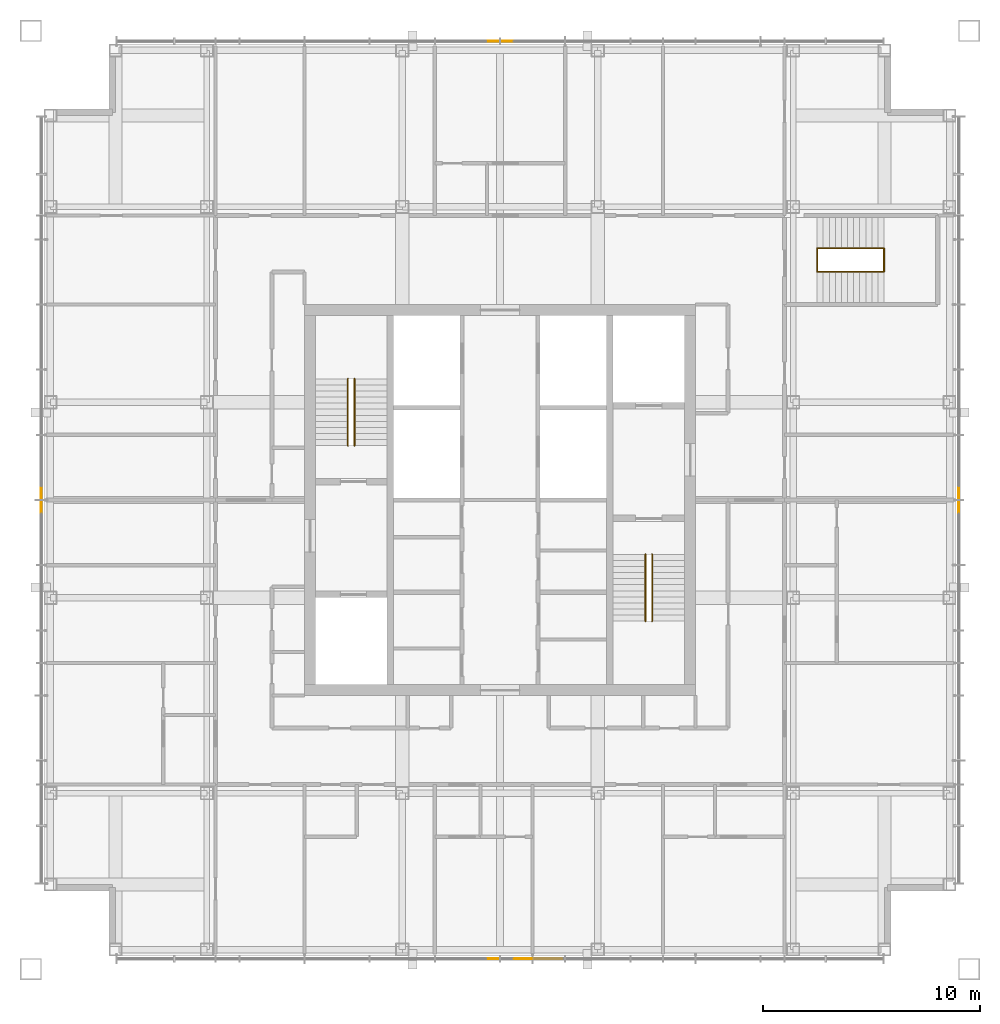
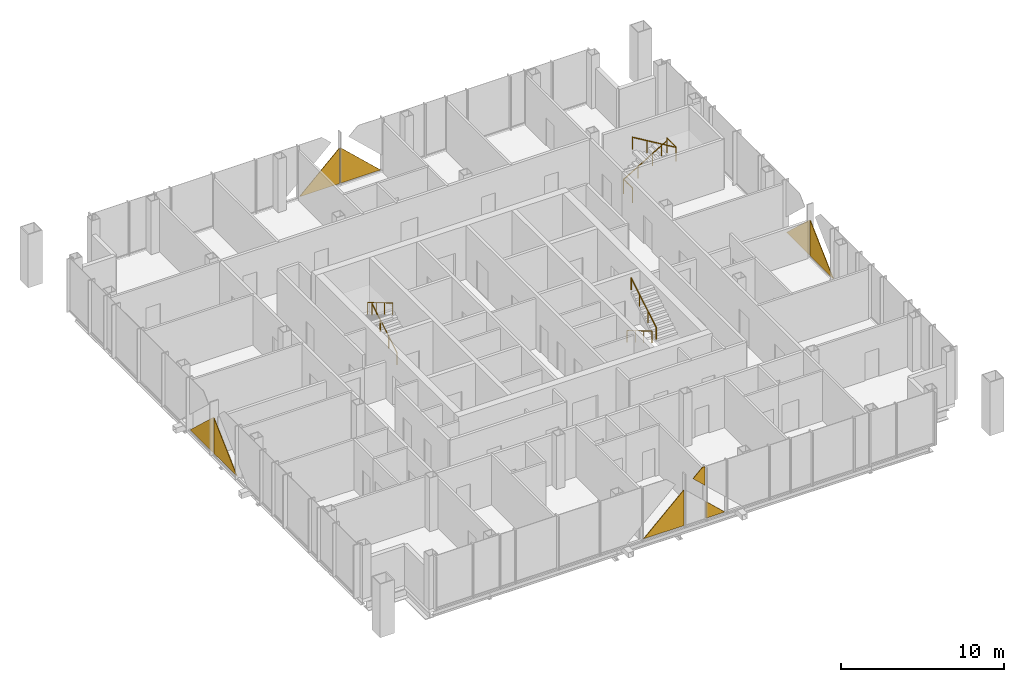
# One storey, part 12 of 12: 9 coverings, 8 railings.
"""IFC4 building model written with IfcOpenShell, lengths in metres."""

import ifcopenshell
import ifcopenshell.guid

model = None  # the IFC model being written
_history = None  # IfcOwnerHistory: only IFC2X3 demands one
_inside = {}  # id of a spatial element -> (the spatial element, [elements in it])
_under = {}  # id of a project, library or spatial element -> (it, [spatial elements below it])
_declared = {}  # id of a project -> (the project, [libraries it declares])
_typed = {}  # id of a type object -> (the type object, [elements of that type])
_made_of = {}  # id of a material, layer set ... -> (it, [elements and type objects made of it])


def new_model(schema):
    """Start an empty IFC model of exactly this schema.

    Asked for "IFC4X3", IfcOpenShell would pick the latest addendum, in which some entities
    have other attributes; the version numbers below select the first issue.
    IFC2X3 requires an IfcOwnerHistory on every rooted entity: one is made here for all.
    """
    global model, _history
    if schema == "IFC4X3":
        model = ifcopenshell.file(schema_version=(4, 3, 0, 0))
    else:
        model = ifcopenshell.file(schema=schema)
    _inside.clear()
    _under.clear()
    _declared.clear()
    _typed.clear()
    _made_of.clear()
    _history = None
    if model.schema == "IFC2X3":
        org = make("IfcOrganization", Name="unknown")
        user = make(
            "IfcPersonAndOrganization",
            ThePerson=make("IfcPerson", FamilyName="unknown"),
            TheOrganization=org,
        )
        app = make(
            "IfcApplication",
            ApplicationDeveloper=org,
            Version="unknown",
            ApplicationFullName="unknown",
            ApplicationIdentifier="unknown",
        )
        _history = make(
            "IfcOwnerHistory",
            OwningUser=user,
            OwningApplication=app,
            ChangeAction="ADDED",
            CreationDate=0,
        )
    return model


def make(cls, **values):
    """One entity of the class cls with the attributes given. An attribute that is None is left unset."""
    return model.create_entity(
        cls, **{name: value for name, value in values.items() if value is not None}
    )


def rooted(cls, **values):
    """An entity with a GlobalId (a new one), such as an element, a storey or a relation."""
    return make(cls, GlobalId=ifcopenshell.guid.new(), OwnerHistory=_history, **values)


def si_unit(unit_type, name, prefix=None):
    """IfcSIUnit, for example si_unit("LENGTHUNIT", "METRE", prefix="MILLI")."""
    return make("IfcSIUnit", UnitType=unit_type, Prefix=prefix, Name=name)


def assignment(units):
    """IfcUnitAssignment: the units of a project."""
    return None if units is None else make("IfcUnitAssignment", Units=units)


def point(xyz):
    """IfcCartesianPoint."""
    return None if xyz is None else make("IfcCartesianPoint", Coordinates=xyz)


def direction(xyz):
    """IfcDirection."""
    return None if xyz is None else make("IfcDirection", DirectionRatios=xyz)


def frame(location, z_axis=None, x_axis=None):
    """IfcAxis2Placement3D, a coordinate frame: its origin and axes. An axis left out is left unset."""
    return make(
        "IfcAxis2Placement3D",
        Location=point(location),
        Axis=direction(z_axis),
        RefDirection=direction(x_axis),
    )


def frame_2d(location, x_axis=None):
    """IfcAxis2Placement2D, a coordinate frame in the plane: its origin and x axis."""
    return make(
        "IfcAxis2Placement2D", Location=point(location), RefDirection=direction(x_axis)
    )


def origin():
    """The frame at (0, 0, 0) with its axes left unset."""
    return frame((0.0, 0.0, 0.0))


def origin_2d():
    """The frame at (0, 0) in the plane with its x axis left unset."""
    return frame_2d((0.0, 0.0))


def place(relative_to, where):
    """IfcLocalPlacement: puts the frame where relative to a parent placement (None: the world)."""
    return make(
        "IfcLocalPlacement", PlacementRelTo=relative_to, RelativePlacement=where
    )


def context(
    kind, dimensions, precision=None, world=None, true_north=None, identifier=None
):
    """IfcGeometricRepresentationContext, for example the 3D "Model" context."""
    return make(
        "IfcGeometricRepresentationContext",
        ContextIdentifier=identifier,
        ContextType=kind,
        CoordinateSpaceDimension=dimensions,
        Precision=precision,
        WorldCoordinateSystem=world,
        TrueNorth=true_north,
    )


def subcontext(parent, identifier, kind, view, scale=None):
    """IfcGeometricRepresentationSubContext, for example "Body" below "Model"."""
    return make(
        "IfcGeometricRepresentationSubContext",
        ContextIdentifier=identifier,
        ContextType=kind,
        ParentContext=parent,
        TargetScale=scale,
        TargetView=view,
    )


def project(units=None, contexts=None):
    """IfcProject with its units and contexts."""
    return rooted(
        "IfcProject",
        Name="project",
        RepresentationContexts=contexts,
        UnitsInContext=assignment(units),
    )


def spatial(cls, under=None, at=None, **own):
    """A site, building, storey or space (cls), placed at a placement, below another one or the project."""
    s = rooted(cls, ObjectPlacement=at, **own)
    if under is not None:
        _under.setdefault(under.id(), (under, []))[1].append(s)
    return s


def polyline(points):
    """IfcPolyline through the points."""
    return make("IfcPolyline", Points=[point(p) for p in points])


def profile(cls, at=None, kind="AREA", **sizes):
    """A parametric profile (cls). Its sizes go by their IFC names, for example OverallWidth=200.0."""
    return make(cls, ProfileType=kind, Position=at, **sizes)


def circle(**sizes):
    """IfcCircleProfileDef."""
    return profile("IfcCircleProfileDef", **sizes)


def outline(outer, holes=None, kind="AREA"):
    """IfcArbitraryClosedProfileDef: a profile drawn as a closed curve; with holes, ...WithVoids."""
    if holes is None:
        return make("IfcArbitraryClosedProfileDef", ProfileType=kind, OuterCurve=outer)
    return make(
        "IfcArbitraryProfileDefWithVoids",
        ProfileType=kind,
        OuterCurve=outer,
        InnerCurves=holes,
    )


def extrude(swept, where, along, depth):
    """IfcExtrudedAreaSolid: the profile swept, set in the frame where, extruded along a direction by depth."""
    return make(
        "IfcExtrudedAreaSolid",
        SweptArea=swept,
        Position=where,
        ExtrudedDirection=direction(along),
        Depth=depth,
    )


def shape(context_of_items, identifier, shape_type, items):
    """IfcShapeRepresentation: the items that make up one representation, for example the "Body"."""
    return make(
        "IfcShapeRepresentation",
        ContextOfItems=context_of_items,
        RepresentationIdentifier=identifier,
        RepresentationType=shape_type,
        Items=items,
    )


def material(Name=None, Category=None):
    """IfcMaterial."""
    return make("IfcMaterial", Name=Name, Category=Category)


def layer(
    of_material, thickness, ventilated=None, Name=None, Category=None, Priority=None
):
    """IfcMaterialLayer: one layer of a wall or slab, of a material (None: an air gap)."""
    return make(
        "IfcMaterialLayer",
        Material=of_material,
        LayerThickness=thickness,
        IsVentilated=ventilated,
        Name=Name,
        Category=Category,
        Priority=Priority,
    )


def layer_set(layers, Name=None):
    """IfcMaterialLayerSet."""
    return make("IfcMaterialLayerSet", MaterialLayers=layers, LayerSetName=Name)


def made_of(thing, what):
    """Note that an element or type object is made of a material, layer set ...; save() writes the relation."""
    if what is not None:
        _made_of.setdefault(what.id(), (what, []))[1].append(thing)
    return thing


def type_object(cls, material=None, **own):
    """A type object (cls), such as IfcWallType, which elements share."""
    return made_of(rooted(cls, **own), material)


def element(
    cls,
    number,
    at=None,
    inside=None,
    cuts=None,
    type_object=None,
    material=None,
    context=None,
    identifier="Body",
    shape_type=None,
    held_by="IfcProductDefinitionShape",
    body=None,
    shapes=None,
    **own,
):
    """One element of the class cls, such as IfcWall. Its Tag is "e" and its number.

    at: its placement. inside: the storey or other place that contains it. cuts: it is an
    opening in that element (IfcRelVoidsElement). A single representation is given by context,
    identifier, shape_type and body (its items); several are given by shapes. held_by: the class
    of the entity that holds the representations. save() writes the other relations.
    """
    e = rooted(cls, Tag="e%d" % number, ObjectPlacement=at, **own)
    if body is not None:
        shapes = [shape(context, identifier, shape_type, body)]
    if shapes is not None:
        e.Representation = make(held_by, Representations=shapes)
    if inside is not None:
        _inside.setdefault(inside.id(), (inside, []))[1].append(e)
    if cuts is not None:
        rooted(
            "IfcRelVoidsElement", RelatingBuildingElement=cuts, RelatedOpeningElement=e
        )
    if type_object is not None:
        _typed.setdefault(type_object.id(), (type_object, []))[1].append(e)
    return made_of(e, material)


def aggregate(whole, parts):
    """IfcRelAggregates: a whole, such as a stair, and the parts it consists of."""
    return rooted("IfcRelAggregates", RelatingObject=whole, RelatedObjects=parts)


def save(model, path):
    """Write the relations noted so far, then the file.

    IfcRelAggregates (storeys below a building ...), IfcRelContainedInSpatialStructure (elements
    in a storey), IfcRelDefinesByType, IfcRelAssociatesMaterial and IfcRelDeclares: one each for
    every whole, place, type object, material and project.
    """
    for whole, parts in _under.values():
        aggregate(whole, parts)
    for where, things in _inside.values():
        rooted(
            "IfcRelContainedInSpatialStructure",
            RelatedElements=things,
            RelatingStructure=where,
        )
    for kind, things in _typed.values():
        rooted("IfcRelDefinesByType", RelatedObjects=things, RelatingType=kind)
    for what, things in _made_of.values():
        rooted("IfcRelAssociatesMaterial", RelatedObjects=things, RelatingMaterial=what)
    for by, libraries in _declared.values():
        rooted("IfcRelDeclares", RelatingContext=by, RelatedDefinitions=libraries)
    model.write(path)


model = new_model("IFC4")

# Units and contexts
model_context = context("Model", 3, precision=1e-05, world=origin(), true_north=direction((0.0, 1.0)))
body_context = subcontext(model_context, "Body", "Model", "MODEL_VIEW")
ifc_project = project(units=[si_unit("LENGTHUNIT", "METRE"), si_unit("AREAUNIT", "SQUARE_METRE"), si_unit("VOLUMEUNIT", "CUBIC_METRE"), si_unit("PLANEANGLEUNIT", "RADIAN"), si_unit("MASSUNIT", "GRAM", prefix="KILO")], contexts=[model_context])

# Site, building, storey
site_placement = place(None, origin())
site = spatial("IfcSite", under=ifc_project, at=site_placement, CompositionType="ELEMENT")
building_placement = place(site_placement, origin())
building = spatial("IfcBuilding", under=site, at=building_placement, Name="Malebo Sky Hospital", CompositionType="ELEMENT")
storey_placement = place(building_placement, frame((0.0, 0.0, 266.0)))
storey = spatial("IfcBuildingStorey", under=building, at=storey_placement, Name="L64", CompositionType="ELEMENT", Elevation=266.0)

# Coverings
ifc_material_1 = material(Name="Anodised aluminium, natural silver insulated infill panel", Category="aluminium")
ifc_layer = layer(ifc_material_1, 0.0400390625)
ifc_layer_set = layer_set([ifc_layer], Name="BRACE INFILL PANEL 40")
covering_type = type_object("IfcCoveringType", Name="BRACE INFILL PANEL 40", PredefinedType="CLADDING", material=ifc_layer_set)
covering_1_placement = place(storey_placement, frame((58.543701171875, 83.125, 0.10009765625), z_axis=(0.0, 0.0, 1.0), x_axis=(1.0, 0.0, 0.0)))
element("IfcCovering", 1, at=covering_1_placement, inside=storey, type_object=covering_type, Name="Brace infill panel 7.1", PredefinedType="CLADDING", context=body_context, shape_type="SweptSolid", body=[
    extrude(outline(polyline([(-1.418701171875, 0.0), (1.418701171875, 0.0), (1.418701171875, 2.656982421875), (-1.418701171875, 0.0)])), frame((0.0, 0.02001953125, 0.0), z_axis=(0.0, -1.0, 0.0), x_axis=(1.0, 0.0, 0.0)), (0.0, 0.0, 1.0), 0.0400390625),
])
covering_2_placement = place(storey_placement, frame((61.456298828125, 83.125, 0.10009765625), z_axis=(0.0, 0.0, 1.0), x_axis=(1.0, 0.0, 0.0)))
element("IfcCovering", 2, at=covering_2_placement, inside=storey, type_object=covering_type, Name="Brace infill panel 8.1", PredefinedType="CLADDING", context=body_context, shape_type="SweptSolid", body=[
    extrude(outline(polyline([(-1.418701171875, 0.0), (1.418701171875, 0.0), (-1.418701171875, 2.656982421875), (-1.418701171875, 0.0)])), frame((0.0, 0.02001953125, 0.0), z_axis=(0.0, -1.0, 0.0), x_axis=(1.0, 0.0, 0.0)), (0.0, 0.0, 1.0), 0.0400390625),
])
covering_3_placement = place(storey_placement, frame((38.875, 60.543701171875, 0.10009765625), z_axis=(0.0, 0.0, 1.0), x_axis=(0.0, 1.0, 0.0)))
element("IfcCovering", 3, at=covering_3_placement, inside=storey, type_object=covering_type, Name="Brace infill panel 8.1", PredefinedType="CLADDING", context=body_context, shape_type="SweptSolid", body=[
    extrude(outline(polyline([(-1.418701171875, 0.0), (1.418701171875, 0.0), (1.418701171875, 2.656982421875), (-1.418701171875, 0.0)])), frame((0.0, 0.02001953125, 0.0), z_axis=(0.0, -1.0, 0.0), x_axis=(1.0, 0.0, 0.0)), (0.0, 0.0, 1.0), 0.0400390625),
])
covering_4_placement = place(storey_placement, frame((38.875, 63.456298828125, 0.10009765625), z_axis=(0.0, 0.0, 1.0), x_axis=(0.0, 1.0, 0.0)))
element("IfcCovering", 4, at=covering_4_placement, inside=storey, type_object=covering_type, Name="Brace infill panel 9.1", PredefinedType="CLADDING", context=body_context, shape_type="SweptSolid", body=[
    extrude(outline(polyline([(-1.418701171875, 0.0), (1.418701171875, 0.0), (-1.418701171875, 2.656982421875), (-1.418701171875, 0.0)])), frame((0.0, 0.02001953125, 0.0), z_axis=(0.0, -1.0, 0.0), x_axis=(1.0, 0.0, 0.0)), (0.0, 0.0, 1.0), 0.0400390625),
])
covering_5_placement = place(storey_placement, frame((62.206298828125, 40.875, 0.10009765625), z_axis=(0.0, 0.0, 1.0), x_axis=(-1.0, 0.0, 0.0)))
element("IfcCovering", 5, at=covering_5_placement, inside=storey, type_object=covering_type, Name="Brace infill panel 8.1", PredefinedType="CLADDING", context=body_context, shape_type="SweptSolid", body=[
    extrude(outline(polyline([(-0.668701171875, 0.0), (0.668701171875, 0.0), (0.668701171875, 1.25244140625), (-0.668701171875, 0.0)])), frame((0.0, 0.02001953125, 0.0), z_axis=(0.0, -1.0, 0.0), x_axis=(1.0, 0.0, 0.0)), (0.0, 0.0, 1.0), 0.0400390625),
])
covering_6_placement = place(storey_placement, frame((61.04248046875, 40.875, 2.58837890625), z_axis=(0.0, 0.0, 1.0), x_axis=(-1.0, 0.0, 0.0)))
element("IfcCovering", 6, at=covering_6_placement, inside=storey, type_object=covering_type, Name="Brace infill panel 9.1", PredefinedType="CLADDING", context=body_context, shape_type="SweptSolid", body=[
    extrude(outline(polyline([(-0.419921875, 0.0), (0.419921875, 0.78662109375), (-0.23681640625, 1.401611328125), (-0.419921875, 1.401611328125), (-0.419921875, 0.0)])), frame((0.0, 0.02001953125, 0.0), z_axis=(0.0, -1.0, 0.0), x_axis=(1.0, 0.0, 0.0)), (0.0, 0.0, 1.0), 0.0400390625),
])
covering_7_placement = place(storey_placement, frame((58.543701171875, 40.875, 0.10009765625), z_axis=(0.0, 0.0, 1.0), x_axis=(-1.0, 0.0, 0.0)))
element("IfcCovering", 7, at=covering_7_placement, inside=storey, type_object=covering_type, Name="Brace infill panel 10.1", PredefinedType="CLADDING", context=body_context, shape_type="SweptSolid", body=[
    extrude(outline(polyline([(-1.418701171875, 0.0), (1.418701171875, 0.0), (-1.418701171875, 2.656982421875), (-1.418701171875, 0.0)])), frame((0.0, 0.02001953125, 0.0), z_axis=(0.0, -1.0, 0.0), x_axis=(1.0, 0.0, 0.0)), (0.0, 0.0, 1.0), 0.0400390625),
])
covering_8_placement = place(storey_placement, frame((81.125, 63.456298828125, 0.10009765625), z_axis=(0.0, 0.0, 1.0), x_axis=(0.0, -1.0, 0.0)))
element("IfcCovering", 8, at=covering_8_placement, inside=storey, type_object=covering_type, Name="Brace infill panel 7.1", PredefinedType="CLADDING", context=body_context, shape_type="SweptSolid", body=[
    extrude(outline(polyline([(-1.418701171875, 0.0), (1.418701171875, 0.0), (1.418701171875, 2.656982421875), (-1.418701171875, 0.0)])), frame((0.0, 0.02001953125, 0.0), z_axis=(0.0, -1.0, 0.0), x_axis=(1.0, 0.0, 0.0)), (0.0, 0.0, 1.0), 0.0400390625),
])
covering_9_placement = place(storey_placement, frame((81.125, 60.543701171875, 0.10009765625), z_axis=(0.0, 0.0, 1.0), x_axis=(0.0, -1.0, 0.0)))
element("IfcCovering", 9, at=covering_9_placement, inside=storey, type_object=covering_type, Name="Brace infill panel 8.1", PredefinedType="CLADDING", context=body_context, shape_type="SweptSolid", body=[
    extrude(outline(polyline([(-1.418701171875, 0.0), (1.418701171875, 0.0), (-1.418701171875, 2.656982421875), (-1.418701171875, 0.0)])), frame((0.0, 0.02001953125, 0.0), z_axis=(0.0, -1.0, 0.0), x_axis=(1.0, 0.0, 0.0)), (0.0, 0.0, 1.0), 0.0400390625),
])

# Railings
ifc_material_2 = material(Name="Stainless steel balustrade", Category="steel")
railing_type_1 = type_object("IfcRailingType", Name="STAIR GUARD 1100", PredefinedType="GUARDRAIL", material=ifc_material_2)
for number, where, name in (
    (10, (74.60009765625, 72.5, 0.0), "Stair guard S3 floor landing"),
    (11, (77.679931640625, 72.5, 2.0), "Stair guard S3 mid landing"),
):
    element("IfcRailing", number, at=place(storey_placement, frame(where)), inside=storey, type_object=railing_type_1, Name=name, PredefinedType="GUARDRAIL", context=body_context, shape_type="SweptSolid", body=[
        extrude(circle(Radius=0.02392578125, at=origin_2d()), frame((0.0, 0.0, 1.076171875), z_axis=(0.0, 1.0, 0.0), x_axis=(-1.0, 0.0, 0.0)), (0.0, 0.0, 1.0), 1.10009765625),
        extrude(circle(Radius=0.02099609375, at=origin_2d()), origin(), (0.0, 0.0, 1.0), 1.052001953125),
        extrude(circle(Radius=0.02099609375, at=origin_2d()), frame((0.0, 1.10009765625, 0.0)), (0.0, 0.0, 1.0), 1.052001953125),
    ])
ifc_material_3 = material(Name="Stainless steel tube", Category="steel")
railing_type_2 = type_object("IfcRailingType", Name="STAIR HANDRAIL 900", PredefinedType="HANDRAIL", material=ifc_material_3)
railing_1_placement = place(storey_placement, frame((53.300048828125, 64.5, 0.166748046875)))
element("IfcRailing", 12, at=railing_1_placement, inside=storey, type_object=railing_type_2, Name="Stair handrail S1 flight 1", PredefinedType="HANDRAIL", context=body_context, shape_type="SweptSolid", body=[
    extrude(circle(Radius=0.02392578125, at=origin_2d()), frame((0.0, 0.0, 0.8759765625), z_axis=(0.0, 0.859308565015, 0.511457515432), x_axis=(-1.0, 0.0, 0.0)), (0.0, 0.0, 1.0), 3.58447265625),
    extrude(circle(Radius=0.02099609375, at=origin_2d()), origin(), (0.0, 0.0, 1.0), 0.851806640625),
    extrude(circle(Radius=0.02099609375, at=origin_2d()), frame((0.0, 1.026611328125, 0.611083984375)), (0.0, 0.0, 1.0), 0.851806640625),
    extrude(circle(Radius=0.02099609375, at=origin_2d()), frame((0.0, 2.053466796875, 1.22216796875)), (0.0, 0.0, 1.0), 0.851806640625),
    extrude(circle(Radius=0.02099609375, at=origin_2d()), frame((0.0, 3.080078125, 1.833251953125)), (0.0, 0.0, 1.0), 0.851806640625),
])
for number, where, name in (
    (13, (53.0, 67.580078125, 2.166748046875), "Stair handrail S1 flight 2"),
    (14, (66.699951171875, 59.5, 0.166748046875), "Stair handrail S2 flight 1"),
):
    element("IfcRailing", number, at=place(storey_placement, frame(where)), inside=storey, type_object=railing_type_2, Name=name, PredefinedType="HANDRAIL", context=body_context, shape_type="SweptSolid", body=[
        extrude(circle(Radius=0.02392578125, at=origin_2d()), frame((0.0, 0.0, 0.8759765625), z_axis=(0.0, -0.859308565015, 0.511457515432), x_axis=(1.0, 0.0, 0.0)), (0.0, 0.0, 1.0), 3.58447265625),
        extrude(circle(Radius=0.02099609375, at=origin_2d()), origin(), (0.0, 0.0, 1.0), 0.851806640625),
        extrude(circle(Radius=0.02099609375, at=origin_2d()), frame((0.0, -1.026611328125, 0.611083984375)), (0.0, 0.0, 1.0), 0.851806640625),
        extrude(circle(Radius=0.02099609375, at=origin_2d()), frame((0.0, -2.053466796875, 1.22216796875)), (0.0, 0.0, 1.0), 0.851806640625),
        extrude(circle(Radius=0.02099609375, at=origin_2d()), frame((0.0, -3.080078125, 1.833251953125)), (0.0, 0.0, 1.0), 0.851806640625),
    ])
railing_2_placement = place(storey_placement, frame((67.0, 56.419921875, 2.166748046875)))
element("IfcRailing", 15, at=railing_2_placement, inside=storey, type_object=railing_type_2, Name="Stair handrail S2 flight 2", PredefinedType="HANDRAIL", context=body_context, shape_type="SweptSolid", body=[
    extrude(circle(Radius=0.02392578125, at=origin_2d()), frame((0.0, 0.0, 0.8759765625), z_axis=(0.0, 0.859308565015, 0.511457515432), x_axis=(-1.0, 0.0, 0.0)), (0.0, 0.0, 1.0), 3.58447265625),
    extrude(circle(Radius=0.02099609375, at=origin_2d()), origin(), (0.0, 0.0, 1.0), 0.851806640625),
    extrude(circle(Radius=0.02099609375, at=origin_2d()), frame((0.0, 1.026611328125, 0.611083984375)), (0.0, 0.0, 1.0), 0.851806640625),
    extrude(circle(Radius=0.02099609375, at=origin_2d()), frame((0.0, 2.053466796875, 1.22216796875)), (0.0, 0.0, 1.0), 0.851806640625),
    extrude(circle(Radius=0.02099609375, at=origin_2d()), frame((0.0, 3.080078125, 1.833251953125)), (0.0, 0.0, 1.0), 0.851806640625),
])
railing_3_placement = place(storey_placement, frame((74.60009765625, 73.60009765625, 0.166748046875)))
element("IfcRailing", 16, at=railing_3_placement, inside=storey, type_object=railing_type_2, Name="Stair handrail S3 flight 1", PredefinedType="HANDRAIL", context=body_context, shape_type="SweptSolid", body=[
    extrude(circle(Radius=0.02392578125, at=origin_2d()), frame((0.0, 0.0, 0.8759765625), z_axis=(0.859290745958, 0.0, 0.51148745235), x_axis=(0.0, 1.0, 0.0)), (0.0, 0.0, 1.0), 3.584228515625),
    extrude(circle(Radius=0.02099609375, at=origin_2d()), origin(), (0.0, 0.0, 1.0), 0.851806640625),
    extrude(circle(Radius=0.02099609375, at=origin_2d()), frame((1.026611328125, 0.0, 0.611083984375)), (0.0, 0.0, 1.0), 0.851806640625),
    extrude(circle(Radius=0.02099609375, at=origin_2d()), frame((2.05322265625, 0.0, 1.22216796875)), (0.0, 0.0, 1.0), 0.851806640625),
    extrude(circle(Radius=0.02099609375, at=origin_2d()), frame((3.079833984375, 0.0, 1.833251953125)), (0.0, 0.0, 1.0), 0.851806640625),
])
railing_4_placement = place(storey_placement, frame((77.679931640625, 72.5, 2.166748046875)))
element("IfcRailing", 17, at=railing_4_placement, inside=storey, type_object=railing_type_2, Name="Stair handrail S3 flight 2", PredefinedType="HANDRAIL", context=body_context, shape_type="SweptSolid", body=[
    extrude(circle(Radius=0.02392578125, at=origin_2d()), frame((0.0, 0.0, 0.8759765625), z_axis=(-0.859290745958, 0.0, 0.51148745235), x_axis=(0.0, -1.0, 0.0)), (0.0, 0.0, 1.0), 3.584228515625),
    extrude(circle(Radius=0.02099609375, at=origin_2d()), origin(), (0.0, 0.0, 1.0), 0.851806640625),
    extrude(circle(Radius=0.02099609375, at=origin_2d()), frame((-1.026611328125, 0.0, 0.611083984375)), (0.0, 0.0, 1.0), 0.851806640625),
    extrude(circle(Radius=0.02099609375, at=origin_2d()), frame((-2.05322265625, 0.0, 1.22216796875)), (0.0, 0.0, 1.0), 0.851806640625),
    extrude(circle(Radius=0.02099609375, at=origin_2d()), frame((-3.079833984375, 0.0, 1.833251953125)), (0.0, 0.0, 1.0), 0.851806640625),
])

save(model, "model.ifc")
